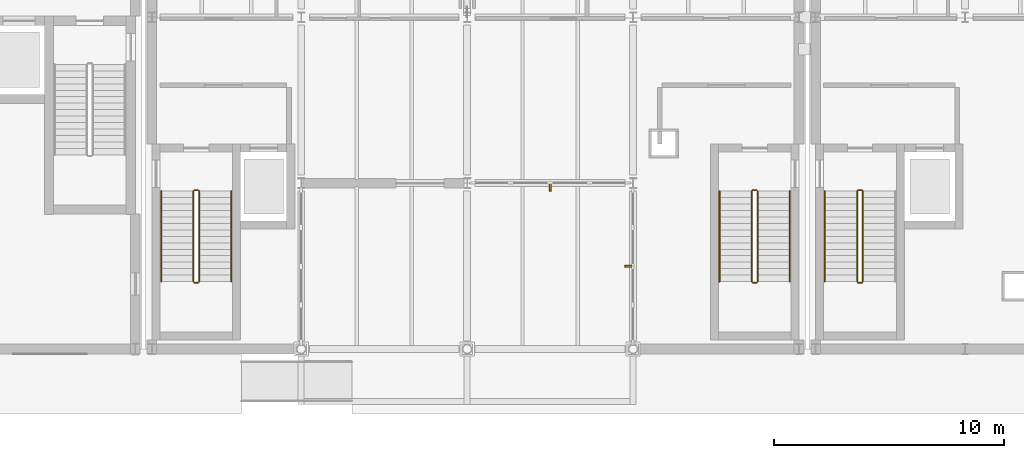
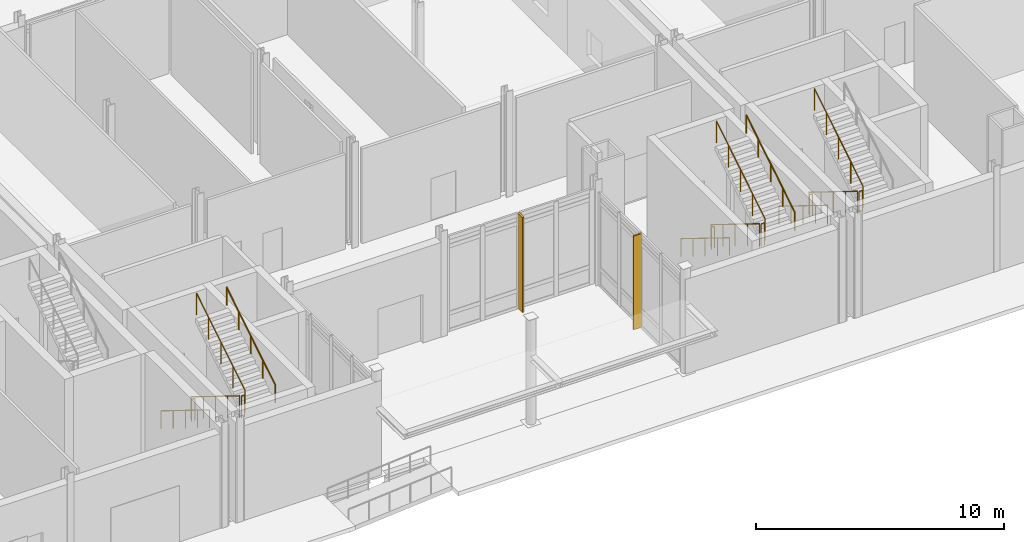
# One storey, part 76 of 89: 17 railings, 2 shading devices.
"""IFC4 building model written with IfcOpenShell, lengths in metres."""

from ifc_helpers import new_model, si_unit, direction, frame, origin, origin_2d, place, context, subcontext, project, spatial, rectangle, circle, extrude, material, layer, layer_set, type_object, element, save


model = new_model("IFC4")

# Units and contexts
model_context = context("Model", 3, precision=1e-05, world=origin(), true_north=direction((0.0, 1.0)))
body_context = subcontext(model_context, "Body", "Model", "MODEL_VIEW")
ifc_project = project(units=[si_unit("LENGTHUNIT", "METRE"), si_unit("AREAUNIT", "SQUARE_METRE"), si_unit("VOLUMEUNIT", "CUBIC_METRE"), si_unit("PLANEANGLEUNIT", "RADIAN"), si_unit("MASSUNIT", "GRAM", prefix="KILO")], contexts=[model_context])

# Site, building, storey
site_placement = place(None, origin())
site = spatial("IfcSite", under=ifc_project, at=site_placement, CompositionType="ELEMENT")
building_placement = place(site_placement, origin())
building = spatial("IfcBuilding", under=site, at=building_placement, Name="Zarrinpeak Specialist Clinic", CompositionType="ELEMENT")
storey_placement = place(building_placement, origin())
storey = spatial("IfcBuildingStorey", under=building, at=storey_placement, Name="L00", CompositionType="ELEMENT", Elevation=0.0)

# Railings
ifc_material_1 = material(Name="Laminated Safety Glass and Stainless Steel 316", Category="steel")
ifc_layer_1 = layer(ifc_material_1, 0.06005859375)
ifc_layer_set_1 = layer_set([ifc_layer_1], Name="Laminated Safety Glass and Stainless Steel 316")
railing_type_1 = type_object("IfcRailingType", Name="RL-GRD115", PredefinedType="GUARDRAIL", material=ifc_layer_set_1)
railing_1_placement = place(storey_placement, frame((31.320068359375, 6.85009765625, 0.17333984375)))
element("IfcRailing", 1, at=railing_1_placement, inside=storey, type_object=railing_type_1, Name="L00 ST-03 stair guard 1", PredefinedType="GUARDRAIL", context=body_context, shape_type="SweptSolid", body=[
    extrude(circle(Radius=0.02392578125, at=origin_2d()), frame((0.0, 0.0, 1.076171875), z_axis=(0.0, -0.850266275192, 0.526352791643), x_axis=(1.0, 0.0, 0.0)), (0.0, 0.0, 1.0), 4.610595703125),
    extrude(circle(Radius=0.02099609375, at=origin_2d()), origin(), (0.0, 0.0, 1.0), 1.052001953125),
    extrude(circle(Radius=0.02099609375, at=origin_2d()), frame((0.0, -0.97998046875, 0.606689453125)), (0.0, 0.0, 1.0), 1.052001953125),
    extrude(circle(Radius=0.02099609375, at=origin_2d()), frame((0.0, -1.9599609375, 1.21337890625)), (0.0, 0.0, 1.0), 1.052001953125),
    extrude(circle(Radius=0.02099609375, at=origin_2d()), frame((0.0, -2.940185546875, 1.820068359375)), (0.0, 0.0, 1.0), 1.052001953125),
    extrude(circle(Radius=0.02099609375, at=origin_2d()), frame((0.0, -3.920166015625, 2.4267578125)), (0.0, 0.0, 1.0), 1.052001953125),
])
railing_2_placement = place(storey_placement, frame((31.3701171875, 2.8798828125, 2.60009765625)))
element("IfcRailing", 2, at=railing_2_placement, inside=storey, type_object=railing_type_1, Name="L00 ST-03 stair guard 2", PredefinedType="GUARDRAIL", context=body_context, shape_type="SweptSolid", body=[
    extrude(circle(Radius=0.02392578125, at=origin_2d()), frame((0.0, 0.0, 1.076171875), z_axis=(1.0, 0.0, 0.0), x_axis=(0.0, 1.0, 0.0)), (0.0, 0.0, 1.0), 0.14990234375),
    extrude(circle(Radius=0.02099609375, at=origin_2d()), origin(), (0.0, 0.0, 1.0), 1.052001953125),
    extrude(circle(Radius=0.02099609375, at=origin_2d()), frame((0.14990234375, 0.0, 0.0)), (0.0, 0.0, 1.0), 1.052001953125),
])
railing_3_placement = place(storey_placement, frame((31.570068359375, 2.929931640625, 2.7734375)))
element("IfcRailing", 3, at=railing_3_placement, inside=storey, type_object=railing_type_1, Name="L00 ST-03 stair guard 3", PredefinedType="GUARDRAIL", context=body_context, shape_type="SweptSolid", body=[
    extrude(circle(Radius=0.02392578125, at=origin_2d()), frame((0.0, 0.0, 1.076171875), z_axis=(0.0, 0.850289973577, 0.526314507528), x_axis=(-1.0, 0.0, 0.0)), (0.0, 0.0, 1.0), 4.6103515625),
    extrude(circle(Radius=0.02099609375, at=origin_2d()), origin(), (0.0, 0.0, 1.0), 1.052001953125),
    extrude(circle(Radius=0.02099609375, at=origin_2d()), frame((0.0, 0.97998046875, 0.606689453125)), (0.0, 0.0, 1.0), 1.052001953125),
    extrude(circle(Radius=0.02099609375, at=origin_2d()), frame((0.0, 1.9599609375, 1.21337890625)), (0.0, 0.0, 1.0), 1.052001953125),
    extrude(circle(Radius=0.02099609375, at=origin_2d()), frame((0.0, 2.940185546875, 1.81982421875)), (0.0, 0.0, 1.0), 1.052001953125),
    extrude(circle(Radius=0.02099609375, at=origin_2d()), frame((0.0, 3.920166015625, 2.426513671875)), (0.0, 0.0, 1.0), 1.052001953125),
])
railing_4_placement = place(storey_placement, frame((31.3701171875, 6.89990234375, 0.0)))
element("IfcRailing", 4, at=railing_4_placement, inside=storey, type_object=railing_type_1, Name="L00 ST-03 stair guard 4", PredefinedType="GUARDRAIL", context=body_context, shape_type="SweptSolid", body=[
    extrude(circle(Radius=0.02392578125, at=origin_2d()), frame((0.0, 0.0, 1.076171875), z_axis=(1.0, 0.0, 0.0), x_axis=(0.0, 1.0, 0.0)), (0.0, 0.0, 1.0), 0.14990234375),
    extrude(circle(Radius=0.02099609375, at=origin_2d()), origin(), (0.0, 0.0, 1.0), 1.052001953125),
    extrude(circle(Radius=0.02099609375, at=origin_2d()), frame((0.14990234375, 0.0, 0.0)), (0.0, 0.0, 1.0), 1.052001953125),
])
railing_5_placement = place(storey_placement, frame((55.550048828125, 6.85009765625, 0.17333984375)))
element("IfcRailing", 5, at=railing_5_placement, inside=storey, type_object=railing_type_1, Name="L00 ST-04 stair guard 1", PredefinedType="GUARDRAIL", context=body_context, shape_type="SweptSolid", body=[
    extrude(circle(Radius=0.02392578125, at=origin_2d()), frame((0.0, 0.0, 1.076171875), z_axis=(0.0, -0.850266275192, 0.526352791643), x_axis=(1.0, 0.0, 0.0)), (0.0, 0.0, 1.0), 4.610595703125),
    extrude(circle(Radius=0.02099609375, at=origin_2d()), origin(), (0.0, 0.0, 1.0), 1.052001953125),
    extrude(circle(Radius=0.02099609375, at=origin_2d()), frame((0.0, -0.97998046875, 0.606689453125)), (0.0, 0.0, 1.0), 1.052001953125),
    extrude(circle(Radius=0.02099609375, at=origin_2d()), frame((0.0, -1.9599609375, 1.21337890625)), (0.0, 0.0, 1.0), 1.052001953125),
    extrude(circle(Radius=0.02099609375, at=origin_2d()), frame((0.0, -2.940185546875, 1.820068359375)), (0.0, 0.0, 1.0), 1.052001953125),
    extrude(circle(Radius=0.02099609375, at=origin_2d()), frame((0.0, -3.920166015625, 2.4267578125)), (0.0, 0.0, 1.0), 1.052001953125),
])
railing_6_placement = place(storey_placement, frame((55.60009765625, 2.8798828125, 2.60009765625)))
element("IfcRailing", 6, at=railing_6_placement, inside=storey, type_object=railing_type_1, Name="L00 ST-04 stair guard 2", PredefinedType="GUARDRAIL", context=body_context, shape_type="SweptSolid", body=[
    extrude(circle(Radius=0.02392578125, at=origin_2d()), frame((0.0, 0.0, 1.076171875), z_axis=(1.0, 0.0, 0.0), x_axis=(0.0, 1.0, 0.0)), (0.0, 0.0, 1.0), 0.14990234375),
    extrude(circle(Radius=0.02099609375, at=origin_2d()), origin(), (0.0, 0.0, 1.0), 1.052001953125),
    extrude(circle(Radius=0.02099609375, at=origin_2d()), frame((0.14990234375, 0.0, 0.0)), (0.0, 0.0, 1.0), 1.052001953125),
])
railing_7_placement = place(storey_placement, frame((55.800048828125, 2.929931640625, 2.7734375)))
element("IfcRailing", 7, at=railing_7_placement, inside=storey, type_object=railing_type_1, Name="L00 ST-04 stair guard 3", PredefinedType="GUARDRAIL", context=body_context, shape_type="SweptSolid", body=[
    extrude(circle(Radius=0.02392578125, at=origin_2d()), frame((0.0, 0.0, 1.076171875), z_axis=(0.0, 0.850289973577, 0.526314507528), x_axis=(-1.0, 0.0, 0.0)), (0.0, 0.0, 1.0), 4.6103515625),
    extrude(circle(Radius=0.02099609375, at=origin_2d()), origin(), (0.0, 0.0, 1.0), 1.052001953125),
    extrude(circle(Radius=0.02099609375, at=origin_2d()), frame((0.0, 0.97998046875, 0.606689453125)), (0.0, 0.0, 1.0), 1.052001953125),
    extrude(circle(Radius=0.02099609375, at=origin_2d()), frame((0.0, 1.9599609375, 1.21337890625)), (0.0, 0.0, 1.0), 1.052001953125),
    extrude(circle(Radius=0.02099609375, at=origin_2d()), frame((0.0, 2.940185546875, 1.81982421875)), (0.0, 0.0, 1.0), 1.052001953125),
    extrude(circle(Radius=0.02099609375, at=origin_2d()), frame((0.0, 3.920166015625, 2.426513671875)), (0.0, 0.0, 1.0), 1.052001953125),
])
railing_8_placement = place(storey_placement, frame((55.60009765625, 6.89990234375, 0.0)))
element("IfcRailing", 8, at=railing_8_placement, inside=storey, type_object=railing_type_1, Name="L00 ST-04 stair guard 4", PredefinedType="GUARDRAIL", context=body_context, shape_type="SweptSolid", body=[
    extrude(circle(Radius=0.02392578125, at=origin_2d()), frame((0.0, 0.0, 1.076171875), z_axis=(1.0, 0.0, 0.0), x_axis=(0.0, 1.0, 0.0)), (0.0, 0.0, 1.0), 0.14990234375),
    extrude(circle(Radius=0.02099609375, at=origin_2d()), origin(), (0.0, 0.0, 1.0), 1.052001953125),
    extrude(circle(Radius=0.02099609375, at=origin_2d()), frame((0.14990234375, 0.0, 0.0)), (0.0, 0.0, 1.0), 1.052001953125),
])
railing_9_placement = place(storey_placement, frame((60.1201171875, 6.85009765625, 0.17333984375)))
element("IfcRailing", 9, at=railing_9_placement, inside=storey, type_object=railing_type_1, Name="L00 ST-07 stair guard 1", PredefinedType="GUARDRAIL", context=body_context, shape_type="SweptSolid", body=[
    extrude(circle(Radius=0.02392578125, at=origin_2d()), frame((0.0, 0.0, 1.076171875), z_axis=(0.0, -0.850266275192, 0.526352791643), x_axis=(1.0, 0.0, 0.0)), (0.0, 0.0, 1.0), 4.610595703125),
    extrude(circle(Radius=0.02099609375, at=origin_2d()), origin(), (0.0, 0.0, 1.0), 1.052001953125),
    extrude(circle(Radius=0.02099609375, at=origin_2d()), frame((0.0, -0.97998046875, 0.606689453125)), (0.0, 0.0, 1.0), 1.052001953125),
    extrude(circle(Radius=0.02099609375, at=origin_2d()), frame((0.0, -1.9599609375, 1.21337890625)), (0.0, 0.0, 1.0), 1.052001953125),
    extrude(circle(Radius=0.02099609375, at=origin_2d()), frame((0.0, -2.940185546875, 1.820068359375)), (0.0, 0.0, 1.0), 1.052001953125),
    extrude(circle(Radius=0.02099609375, at=origin_2d()), frame((0.0, -3.920166015625, 2.4267578125)), (0.0, 0.0, 1.0), 1.052001953125),
])
railing_10_placement = place(storey_placement, frame((60.169921875, 2.8798828125, 2.60009765625)))
element("IfcRailing", 10, at=railing_10_placement, inside=storey, type_object=railing_type_1, Name="L00 ST-07 stair guard 2", PredefinedType="GUARDRAIL", context=body_context, shape_type="SweptSolid", body=[
    extrude(circle(Radius=0.02392578125, at=origin_2d()), frame((0.0, 0.0, 1.076171875), z_axis=(1.0, 0.0, 0.0), x_axis=(0.0, 1.0, 0.0)), (0.0, 0.0, 1.0), 0.150146484375),
    extrude(circle(Radius=0.02099609375, at=origin_2d()), origin(), (0.0, 0.0, 1.0), 1.052001953125),
    extrude(circle(Radius=0.02099609375, at=origin_2d()), frame((0.150146484375, 0.0, 0.0)), (0.0, 0.0, 1.0), 1.052001953125),
])
railing_11_placement = place(storey_placement, frame((60.3701171875, 2.929931640625, 2.7734375)))
element("IfcRailing", 11, at=railing_11_placement, inside=storey, type_object=railing_type_1, Name="L00 ST-07 stair guard 3", PredefinedType="GUARDRAIL", context=body_context, shape_type="SweptSolid", body=[
    extrude(circle(Radius=0.02392578125, at=origin_2d()), frame((0.0, 0.0, 1.076171875), z_axis=(0.0, 0.850289973577, 0.526314507528), x_axis=(-1.0, 0.0, 0.0)), (0.0, 0.0, 1.0), 4.6103515625),
    extrude(circle(Radius=0.02099609375, at=origin_2d()), origin(), (0.0, 0.0, 1.0), 1.052001953125),
    extrude(circle(Radius=0.02099609375, at=origin_2d()), frame((0.0, 0.97998046875, 0.606689453125)), (0.0, 0.0, 1.0), 1.052001953125),
    extrude(circle(Radius=0.02099609375, at=origin_2d()), frame((0.0, 1.9599609375, 1.21337890625)), (0.0, 0.0, 1.0), 1.052001953125),
    extrude(circle(Radius=0.02099609375, at=origin_2d()), frame((0.0, 2.940185546875, 1.81982421875)), (0.0, 0.0, 1.0), 1.052001953125),
    extrude(circle(Radius=0.02099609375, at=origin_2d()), frame((0.0, 3.920166015625, 2.426513671875)), (0.0, 0.0, 1.0), 1.052001953125),
])
railing_12_placement = place(storey_placement, frame((60.169921875, 6.89990234375, 0.0)))
element("IfcRailing", 12, at=railing_12_placement, inside=storey, type_object=railing_type_1, Name="L00 ST-07 stair guard 4", PredefinedType="GUARDRAIL", context=body_context, shape_type="SweptSolid", body=[
    extrude(circle(Radius=0.02392578125, at=origin_2d()), frame((0.0, 0.0, 1.076171875), z_axis=(1.0, 0.0, 0.0), x_axis=(0.0, 1.0, 0.0)), (0.0, 0.0, 1.0), 0.150146484375),
    extrude(circle(Radius=0.02099609375, at=origin_2d()), origin(), (0.0, 0.0, 1.0), 1.052001953125),
    extrude(circle(Radius=0.02099609375, at=origin_2d()), frame((0.150146484375, 0.0, 0.0)), (0.0, 0.0, 1.0), 1.052001953125),
])
ifc_material_2 = material(Name="Brushed Stainless Steel 316 Handrail", Category="steel")
ifc_layer_2 = layer(ifc_material_2, 0.050048828125)
ifc_layer_set_2 = layer_set([ifc_layer_2], Name="Brushed Stainless Steel 316 Handrail")
railing_type_2 = type_object("IfcRailingType", Name="RL-HND92", PredefinedType="HANDRAIL", material=ifc_layer_set_2)
railing_13_placement = place(storey_placement, frame((29.919921875, 6.85009765625, 0.17333984375)))
element("IfcRailing", 13, at=railing_13_placement, inside=storey, type_object=railing_type_2, Name="L00 ST-03 stair handrail 1", PredefinedType="HANDRAIL", context=body_context, shape_type="SweptSolid", body=[
    extrude(circle(Radius=0.02392578125, at=origin_2d()), frame((0.0, 0.0, 0.8759765625), z_axis=(0.0, -0.850266275192, 0.526352791643), x_axis=(1.0, 0.0, 0.0)), (0.0, 0.0, 1.0), 4.610595703125),
    extrude(circle(Radius=0.02099609375, at=origin_2d()), origin(), (0.0, 0.0, 1.0), 0.851806640625),
    extrude(circle(Radius=0.02099609375, at=origin_2d()), frame((0.0, -0.97998046875, 0.606689453125)), (0.0, 0.0, 1.0), 0.851806640625),
    extrude(circle(Radius=0.02099609375, at=origin_2d()), frame((0.0, -1.9599609375, 1.21337890625)), (0.0, 0.0, 1.0), 0.851806640625),
    extrude(circle(Radius=0.02099609375, at=origin_2d()), frame((0.0, -2.940185546875, 1.820068359375)), (0.0, 0.0, 1.0), 0.851806640625),
    extrude(circle(Radius=0.02099609375, at=origin_2d()), frame((0.0, -3.920166015625, 2.4267578125)), (0.0, 0.0, 1.0), 0.851806640625),
])
railing_14_placement = place(storey_placement, frame((32.969970703125, 2.929931640625, 2.7734375)))
element("IfcRailing", 14, at=railing_14_placement, inside=storey, type_object=railing_type_2, Name="L00 ST-03 stair handrail 2", PredefinedType="HANDRAIL", context=body_context, shape_type="SweptSolid", body=[
    extrude(circle(Radius=0.02392578125, at=origin_2d()), frame((0.0, 0.0, 0.8759765625), z_axis=(0.0, 0.850289973577, 0.526314507528), x_axis=(-1.0, 0.0, 0.0)), (0.0, 0.0, 1.0), 4.6103515625),
    extrude(circle(Radius=0.02099609375, at=origin_2d()), origin(), (0.0, 0.0, 1.0), 0.851806640625),
    extrude(circle(Radius=0.02099609375, at=origin_2d()), frame((0.0, 0.97998046875, 0.606689453125)), (0.0, 0.0, 1.0), 0.851806640625),
    extrude(circle(Radius=0.02099609375, at=origin_2d()), frame((0.0, 1.9599609375, 1.21337890625)), (0.0, 0.0, 1.0), 0.851806640625),
    extrude(circle(Radius=0.02099609375, at=origin_2d()), frame((0.0, 2.940185546875, 1.81982421875)), (0.0, 0.0, 1.0), 0.851806640625),
    extrude(circle(Radius=0.02099609375, at=origin_2d()), frame((0.0, 3.920166015625, 2.426513671875)), (0.0, 0.0, 1.0), 0.851806640625),
])
railing_15_placement = place(storey_placement, frame((54.14990234375, 6.85009765625, 0.17333984375)))
element("IfcRailing", 15, at=railing_15_placement, inside=storey, type_object=railing_type_2, Name="L00 ST-04 stair handrail 1", PredefinedType="HANDRAIL", context=body_context, shape_type="SweptSolid", body=[
    extrude(circle(Radius=0.02392578125, at=origin_2d()), frame((0.0, 0.0, 0.8759765625), z_axis=(0.0, -0.850266275192, 0.526352791643), x_axis=(1.0, 0.0, 0.0)), (0.0, 0.0, 1.0), 4.610595703125),
    extrude(circle(Radius=0.02099609375, at=origin_2d()), origin(), (0.0, 0.0, 1.0), 0.851806640625),
    extrude(circle(Radius=0.02099609375, at=origin_2d()), frame((0.0, -0.97998046875, 0.606689453125)), (0.0, 0.0, 1.0), 0.851806640625),
    extrude(circle(Radius=0.02099609375, at=origin_2d()), frame((0.0, -1.9599609375, 1.21337890625)), (0.0, 0.0, 1.0), 0.851806640625),
    extrude(circle(Radius=0.02099609375, at=origin_2d()), frame((0.0, -2.940185546875, 1.820068359375)), (0.0, 0.0, 1.0), 0.851806640625),
    extrude(circle(Radius=0.02099609375, at=origin_2d()), frame((0.0, -3.920166015625, 2.4267578125)), (0.0, 0.0, 1.0), 0.851806640625),
])
railing_16_placement = place(storey_placement, frame((57.199951171875, 2.929931640625, 2.7734375)))
element("IfcRailing", 16, at=railing_16_placement, inside=storey, type_object=railing_type_2, Name="L00 ST-04 stair handrail 2", PredefinedType="HANDRAIL", context=body_context, shape_type="SweptSolid", body=[
    extrude(circle(Radius=0.02392578125, at=origin_2d()), frame((0.0, 0.0, 0.8759765625), z_axis=(0.0, 0.850289973577, 0.526314507528), x_axis=(-1.0, 0.0, 0.0)), (0.0, 0.0, 1.0), 4.6103515625),
    extrude(circle(Radius=0.02099609375, at=origin_2d()), origin(), (0.0, 0.0, 1.0), 0.851806640625),
    extrude(circle(Radius=0.02099609375, at=origin_2d()), frame((0.0, 0.97998046875, 0.606689453125)), (0.0, 0.0, 1.0), 0.851806640625),
    extrude(circle(Radius=0.02099609375, at=origin_2d()), frame((0.0, 1.9599609375, 1.21337890625)), (0.0, 0.0, 1.0), 0.851806640625),
    extrude(circle(Radius=0.02099609375, at=origin_2d()), frame((0.0, 2.940185546875, 1.81982421875)), (0.0, 0.0, 1.0), 0.851806640625),
    extrude(circle(Radius=0.02099609375, at=origin_2d()), frame((0.0, 3.920166015625, 2.426513671875)), (0.0, 0.0, 1.0), 0.851806640625),
])
railing_17_placement = place(storey_placement, frame((58.719970703125, 6.85009765625, 0.17333984375)))
element("IfcRailing", 17, at=railing_17_placement, inside=storey, type_object=railing_type_2, Name="L00 ST-07 stair handrail 1", PredefinedType="HANDRAIL", context=body_context, shape_type="SweptSolid", body=[
    extrude(circle(Radius=0.02392578125, at=origin_2d()), frame((0.0, 0.0, 0.8759765625), z_axis=(0.0, -0.850266275192, 0.526352791643), x_axis=(1.0, 0.0, 0.0)), (0.0, 0.0, 1.0), 4.610595703125),
    extrude(circle(Radius=0.02099609375, at=origin_2d()), origin(), (0.0, 0.0, 1.0), 0.851806640625),
    extrude(circle(Radius=0.02099609375, at=origin_2d()), frame((0.0, -0.97998046875, 0.606689453125)), (0.0, 0.0, 1.0), 0.851806640625),
    extrude(circle(Radius=0.02099609375, at=origin_2d()), frame((0.0, -1.9599609375, 1.21337890625)), (0.0, 0.0, 1.0), 0.851806640625),
    extrude(circle(Radius=0.02099609375, at=origin_2d()), frame((0.0, -2.940185546875, 1.820068359375)), (0.0, 0.0, 1.0), 0.851806640625),
    extrude(circle(Radius=0.02099609375, at=origin_2d()), frame((0.0, -3.920166015625, 2.4267578125)), (0.0, 0.0, 1.0), 0.851806640625),
])

# Shading devices
ifc_material_3 = material(Name="Anodised Bronze Aluminium", Category="aluminium")
shading_device_type = type_object("IfcShadingDeviceType", Name="SHD-FIN-BZ", PredefinedType="JALOUSIE", material=ifc_material_3)
shading_device_1_placement = place(storey_placement, frame((46.800048828125, 7.034912109375, -0.01513671875), z_axis=(0.0, 0.0, 1.0), x_axis=(1.0, 0.0, 0.0)))
element("IfcShadingDevice", 18, at=shading_device_1_placement, inside=storey, type_object=shading_device_type, Name="L00 V2 Solar Control Fin FIN-026", PredefinedType="JALOUSIE", context=body_context, shape_type="SweptSolid", body=[
    extrude(rectangle(XDim=0.074951171875, YDim=0.3798828125, at=origin_2d()), origin(), (0.0, 0.0, 1.0), 4.695068359375),
])
shading_device_2_placement = place(storey_placement, frame((50.235107421875, 3.589111328125, -0.014892578125), z_axis=(0.0, 0.0, 1.0), x_axis=(1.0, 0.0, 0.0)))
element("IfcShadingDevice", 19, at=shading_device_2_placement, inside=storey, type_object=shading_device_type, Name="L00 V2 Solar Control Fin FIN-027", PredefinedType="JALOUSIE", context=body_context, shape_type="SweptSolid", body=[
    extrude(rectangle(XDim=0.3798828125, YDim=0.074951171875, at=origin_2d()), origin(), (0.0, 0.0, 1.0), 4.625),
])

save(model, "model.ifc")
